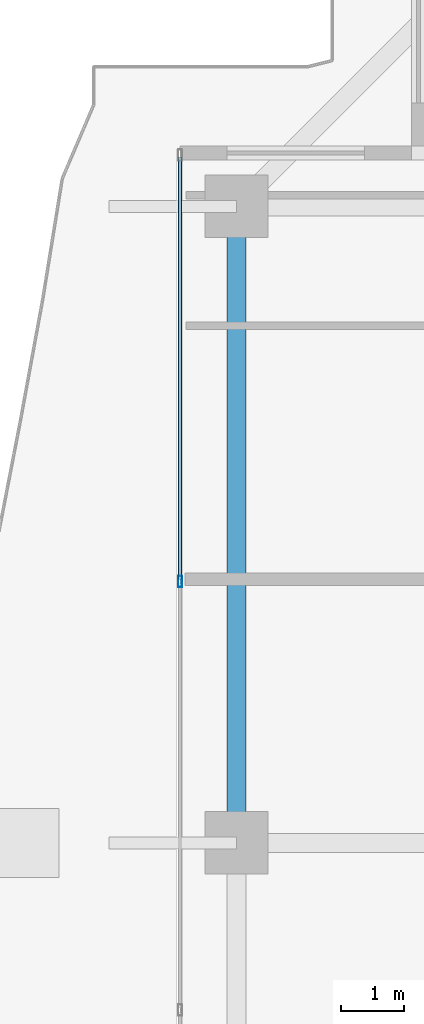
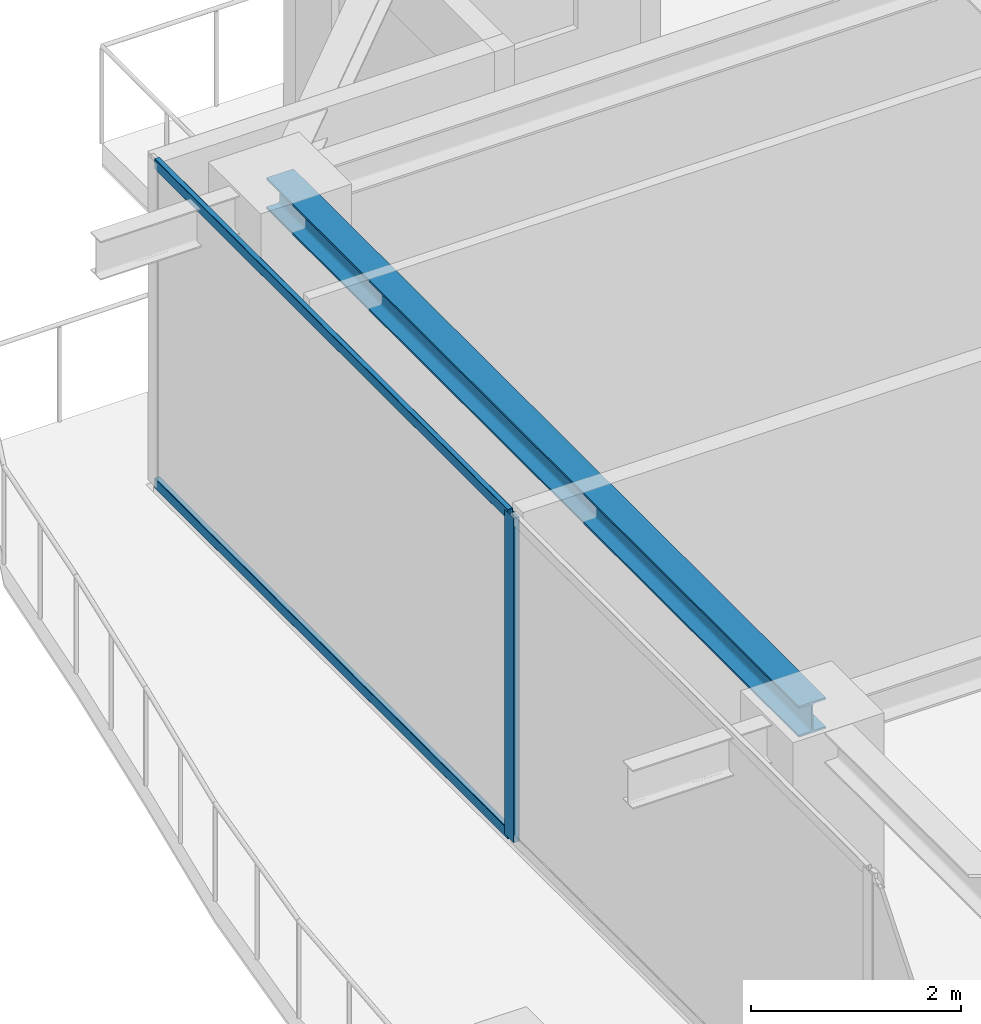
# One storey, part 16 of 37: 3 members, 1 beam, 1 element without a shape of its own.
"""IFC4 building model written with IfcOpenShell, lengths in metres."""

from ifc_helpers import new_model, si_unit, direction, frame, origin, origin_2d, place, context, subcontext, project, spatial, hollow_rectangle, i_section, extrude, source, transform, mapped, material, layer, layer_set, material_profile, profile_set, type_object, element, aggregate, save


model = new_model("IFC4")

# Units and contexts
model_context = context("Model", 3, precision=1e-05, world=origin(), true_north=direction((0.0, 1.0)))
body_context = subcontext(model_context, "Body", "Model", "MODEL_VIEW")
ifc_project = project(units=[si_unit("LENGTHUNIT", "METRE"), si_unit("AREAUNIT", "SQUARE_METRE"), si_unit("VOLUMEUNIT", "CUBIC_METRE"), si_unit("PLANEANGLEUNIT", "RADIAN"), si_unit("MASSUNIT", "GRAM", prefix="KILO")], contexts=[model_context])

# Site, building, storey
site_placement = place(None, origin())
site = spatial("IfcSite", under=ifc_project, at=site_placement, CompositionType="ELEMENT")
building_placement = place(site_placement, origin())
building = spatial("IfcBuilding", under=site, at=building_placement, Name="Serunith Strait Residences", CompositionType="ELEMENT")
storey_placement = place(building_placement, frame((0.0, 0.0, 305.60009765625)))
storey = spatial("IfcBuildingStorey", under=building, at=storey_placement, Name="L76", CompositionType="ELEMENT", Elevation=305.60009765625)

# Beam
ifc_material_1 = material(Name="Steel S355J2", Category="steel")
ifc_material_profile_1 = material_profile(ifc_material_1, i_section(OverallWidth=0.300048828125, OverallDepth=0.360107421875, WebThickness=0.012451171875, FlangeThickness=0.0224609375, FilletRadius=0.027099609375, at=origin_2d()), Name="HEB 360")
ifc_profile_set_1 = profile_set([ifc_material_profile_1], Name="Steel S355J2")
beam_type = type_object("IfcBeamType", Name="BM-HEB360", PredefinedType="BEAM", material=ifc_profile_set_1)
shared_shape_1 = source(origin(), body_context, "Body", "SweptSolid", [
    extrude(i_section(OverallWidth=0.300048828125, OverallDepth=0.360107421875, WebThickness=0.012451171875, FlangeThickness=0.0224609375, FilletRadius=0.027099609375, at=origin_2d()), origin(), (0.0, 0.0, 1.0), 10.150146484375),
])
beam_placement = place(storey_placement, frame((10.10009765625, 39.550048828125, 3.60693359375), z_axis=(0.0, -1.0, 0.0), x_axis=(1.0, 0.0, 0.0)))
element("IfcBeam", 1, at=beam_placement, inside=storey, type_object=beam_type, Name="L76 Perimeter Ring Beam 13", PredefinedType="BEAM", context=body_context, shape_type="MappedRepresentation", body=[
    mapped(shared_shape_1, transform((0.0, 0.0, 0.0), scale=1.0)),
])

# Curtain wall, members
ifc_material_2 = material(Name="Brushed Stainless-Silver Aluminium", Category="aluminium")
ifc_layer = layer(ifc_material_2, 0.199951171875, Name="Brushed Stainless-Silver Aluminium")
ifc_layer_set = layer_set([ifc_layer], Name="Brushed Stainless-Silver Aluminium")
curtain_wall_type = type_object("IfcCurtainWallType", Name="CW-SYS5", PredefinedType="NOTDEFINED", material=ifc_layer_set)
curtain_wall_placement = place(storey_placement, origin())
curtain_wall = element("IfcCurtainWall", 2, at=curtain_wall_placement, inside=storey, type_object=curtain_wall_type, Name="L76 W Unitised Fritted Curtain Wall", PredefinedType="NOTDEFINED")
ifc_material_profile_2 = material_profile(ifc_material_2, hollow_rectangle(XDim=0.06494140625, YDim=0.179931640625, WallThickness=0.00341796875, InnerFilletRadius=0.00537109375, OuterFilletRadius=0.0087890625, at=origin_2d()), Name="ALU 180x65x3.5")
ifc_profile_set_2 = profile_set([ifc_material_profile_2], Name="Brushed Stainless-Silver Aluminium")
member_type_1 = type_object("IfcMemberType", Name="CW-SYS5-MULL", PredefinedType="MULLION", material=ifc_profile_set_2)
shared_shape_2 = source(origin(), body_context, "Body", "SweptSolid", [
    extrude(hollow_rectangle(XDim=0.06494140625, YDim=0.179931640625, WallThickness=0.00341796875, InnerFilletRadius=0.00537109375, OuterFilletRadius=0.0087890625, at=origin_2d()), origin(), (0.0, 0.0, 1.0), 3.77490234375),
])
member_1_placement = place(storey_placement, frame((9.199951171875, 33.566650390625, 0.0), z_axis=(0.0, 0.0, 1.0), x_axis=(1.0, 0.0, 0.0)))
member_1 = element("IfcMember", 3, at=member_1_placement, type_object=member_type_1, Name="CW-5 mullion 2", PredefinedType="MULLION", context=body_context, shape_type="MappedRepresentation", body=[
    mapped(shared_shape_2, transform((0.0, 0.0, 0.0), scale=1.0)),
])
ifc_material_profile_3 = material_profile(ifc_material_2, hollow_rectangle(XDim=0.06005859375, YDim=0.1201171875, WallThickness=0.00341796875, InnerFilletRadius=0.00537109375, OuterFilletRadius=0.0087890625, at=origin_2d()), Name="ALU 120x60x3.5")
ifc_profile_set_3 = profile_set([ifc_material_profile_3], Name="Brushed Stainless-Silver Aluminium")
member_type_2 = type_object("IfcMemberType", Name="CW-SYS5-TRAN", PredefinedType="USERDEFINED", material=ifc_profile_set_3)
shared_shape_3 = source(origin(), body_context, "Body", "SweptSolid", [
    extrude(hollow_rectangle(XDim=0.06005859375, YDim=0.1201171875, WallThickness=0.00341796875, InnerFilletRadius=0.00537109375, OuterFilletRadius=0.0087890625, at=origin_2d()), origin(), (0.0, 0.0, 1.0), 6.73583984375),
])
member_2_placement = place(storey_placement, frame((9.199951171875, 40.3349609375, 0.02978515625), z_axis=(0.0, -1.0, 0.0), x_axis=(1.0, 0.0, 0.0)))
member_2 = element("IfcMember", 4, at=member_2_placement, type_object=member_type_2, Name="CW-5 transom 1.1", ObjectType="TRANSOM", PredefinedType="USERDEFINED", context=body_context, shape_type="MappedRepresentation", body=[
    mapped(shared_shape_3, transform((0.0, 0.0, 0.0), scale=1.0)),
])
member_3_placement = place(storey_placement, frame((9.199951171875, 40.3349609375, 3.744873046875), z_axis=(0.0, -1.0, 0.0), x_axis=(1.0, 0.0, 0.0)))
member_3 = element("IfcMember", 5, at=member_3_placement, type_object=member_type_2, Name="CW-5 transom 1.2", ObjectType="TRANSOM", PredefinedType="USERDEFINED", context=body_context, shape_type="MappedRepresentation", body=[
    mapped(shared_shape_3, transform((0.0, 0.0, 0.0), scale=1.0)),
])
aggregate(curtain_wall, [member_1, member_2, member_3])

save(model, "model.ifc")
